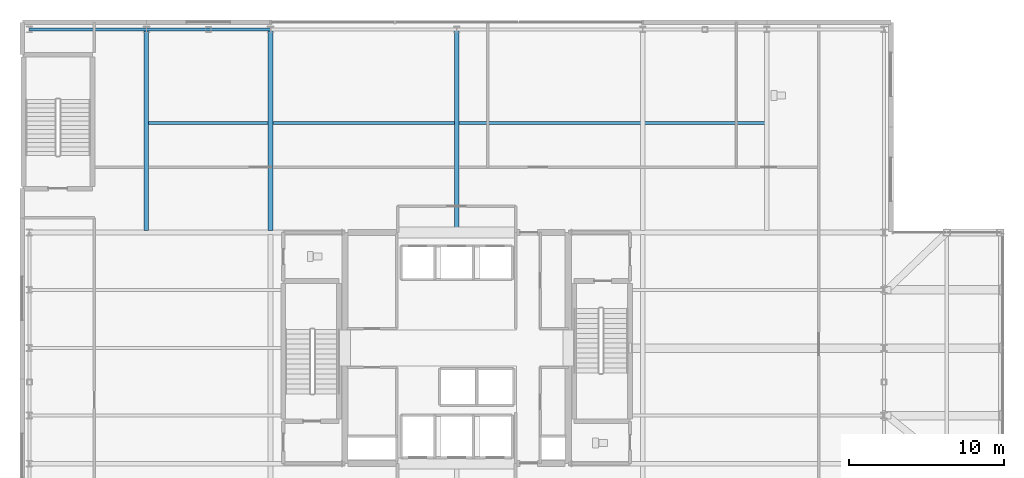
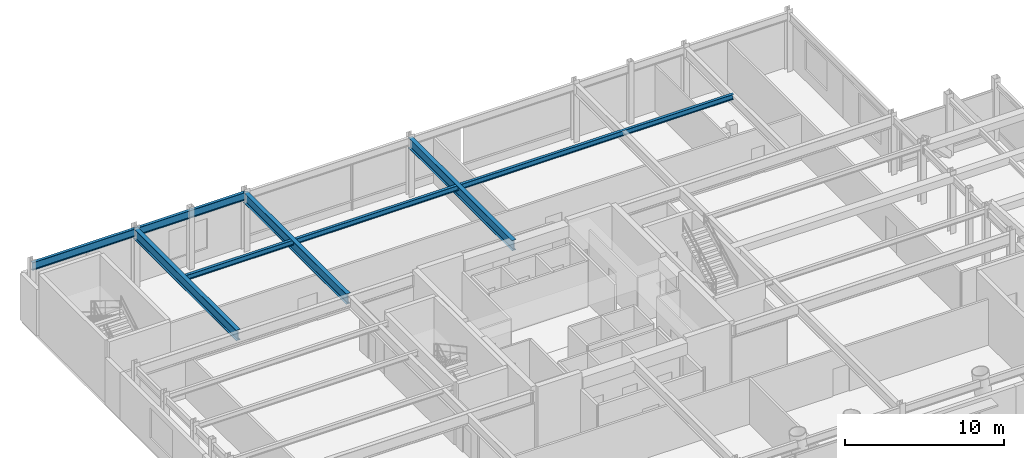
# One storey, part 13 of 26: 6 beams.
"""IFC4 building model written with IfcOpenShell, lengths in metres."""

from ifc_helpers import new_model, si_unit, direction, frame, origin, origin_2d, place, context, subcontext, project, spatial, i_section, extrude, material, material_profile, profile_set, type_object, element, save


model = new_model("IFC4")

# Units and contexts
model_context = context("Model", 3, precision=1e-05, world=origin(), true_north=direction((0.0, 1.0)))
body_context = subcontext(model_context, "Body", "Model", "MODEL_VIEW")
ifc_project = project(units=[si_unit("LENGTHUNIT", "METRE"), si_unit("AREAUNIT", "SQUARE_METRE"), si_unit("VOLUMEUNIT", "CUBIC_METRE"), si_unit("PLANEANGLEUNIT", "RADIAN"), si_unit("MASSUNIT", "GRAM", prefix="KILO")], contexts=[model_context])

# Site, building, storey
site_placement = place(None, origin())
site = spatial("IfcSite", under=ifc_project, at=site_placement, CompositionType="ELEMENT")
building_placement = place(site_placement, origin())
building = spatial("IfcBuilding", under=site, at=building_placement, Name="Veldorina Hangang Commons", CompositionType="ELEMENT")
storey_placement = place(building_placement, frame((0.0, 0.0, 5.199951171875)))
storey = spatial("IfcBuildingStorey", under=building, at=storey_placement, Name="L01", CompositionType="ELEMENT", Elevation=5.199951171875)

# Beams
ifc_material_1 = material(Name="Steel SM355-TMC", Category="steel")
ifc_material_profile_1 = material_profile(ifc_material_1, i_section(OverallWidth=0.199951171875, OverallDepth=0.39990234375, WebThickness=0.008056640625, FlangeThickness=0.012939453125, FilletRadius=0.012939453125, at=origin_2d()), Name="H-400x200x8x13")
ifc_profile_set_1 = profile_set([ifc_material_profile_1], Name="Steel SM355-TMC")
beam_type_1 = type_object("IfcBeamType", Name="BM-JST400", PredefinedType="JOIST", material=ifc_profile_set_1)
beam_1_placement = place(storey_placement, frame((12.0, 38.5, 4.300048828125), z_axis=(1.0, 0.0, 0.0), x_axis=(0.0, 1.0, 0.0)))
element("IfcBeam", 1, at=beam_1_placement, inside=storey, type_object=beam_type_1, Name="L01 north floor joist 4", PredefinedType="JOIST", context=body_context, shape_type="SweptSolid", body=[
    extrude(i_section(OverallWidth=0.199951171875, OverallDepth=0.39990234375, WebThickness=0.008056640625, FlangeThickness=0.012939453125, FilletRadius=0.012939453125, at=origin_2d()), origin(), (0.0, 0.0, 1.0), 40.0),
])
ifc_material_2 = material(Name="Steel SM460-TMC", Category="steel")
ifc_material_profile_2 = material_profile(ifc_material_2, i_section(OverallWidth=0.300048828125, OverallDepth=0.800048828125, WebThickness=0.013916015625, FlangeThickness=0.02587890625, FilletRadius=0.02197265625, at=origin_2d()), Name="H-800x300x14x26")
ifc_profile_set_2 = profile_set([ifc_material_profile_2], Name="Steel SM460-TMC")
beam_type_2 = type_object("IfcBeamType", Name="BM-PG800", PredefinedType="BEAM", material=ifc_profile_set_2)
for number, where, z_axis, x_axis, name in (
    (2, (12.0, 31.590087890625, 4.10009765625), (0.0, 1.0, 0.0), (-1.0, 0.0, 0.0), "L01 north primary girder G2"),
    (3, (20.0, 31.590087890625, 4.10009765625), (0.0, 1.0, 0.0), (-1.0, 0.0, 0.0), "L01 north primary girder G3"),
):
    element("IfcBeam", number, at=place(storey_placement, frame(where, z_axis=z_axis, x_axis=x_axis)), inside=storey, type_object=beam_type_2, Name=name, PredefinedType="BEAM", context=body_context, shape_type="SweptSolid", body=[
        extrude(i_section(OverallWidth=0.300048828125, OverallDepth=0.800048828125, WebThickness=0.013916015625, FlangeThickness=0.02587890625, FilletRadius=0.02197265625, at=origin_2d()), origin(), (0.0, 0.0, 1.0), 12.9599609375),
    ])
beam_2_placement = place(storey_placement, frame((32.0, 31.449951171875, 4.10009765625), z_axis=(0.0, 1.0, 0.0), x_axis=(-1.0, 0.0, 0.0)))
element("IfcBeam", 4, at=beam_2_placement, inside=storey, type_object=beam_type_2, Name="L01 north primary girder G5", PredefinedType="BEAM", context=body_context, shape_type="SweptSolid", body=[
    extrude(i_section(OverallWidth=0.300048828125, OverallDepth=0.800048828125, WebThickness=0.013916015625, FlangeThickness=0.02587890625, FilletRadius=0.02197265625, at=origin_2d()), origin(), (0.0, 0.0, 1.0), 13.10009765625),
])
ifc_material_3 = material(Name="Steel SM420-TMC", Category="steel")
ifc_material_profile_3 = material_profile(ifc_material_3, i_section(OverallWidth=0.199951171875, OverallDepth=0.60009765625, WebThickness=0.010986328125, FlangeThickness=0.01708984375, FilletRadius=0.01806640625, at=origin_2d()), Name="H-600x200x11x17")
ifc_profile_set_3 = profile_set([ifc_material_profile_3], Name="Steel SM420-TMC")
beam_type_3 = type_object("IfcBeamType", Name="BM-SPN600", PredefinedType="SPANDREL", material=ifc_profile_set_3)
beam_3_placement = place(storey_placement, frame((4.449951171875, 44.550048828125, 4.199951171875), z_axis=(1.0, 0.0, 0.0), x_axis=(0.0, 1.0, 0.0)))
element("IfcBeam", 5, at=beam_3_placement, inside=storey, type_object=beam_type_3, Name="L01 north spandrel beam 1", PredefinedType="SPANDREL", context=body_context, shape_type="SweptSolid", body=[
    extrude(i_section(OverallWidth=0.199951171875, OverallDepth=0.60009765625, WebThickness=0.010986328125, FlangeThickness=0.01708984375, FilletRadius=0.01806640625, at=origin_2d()), origin(), (0.0, 0.0, 1.0), 7.550048828125),
])
beam_4_placement = place(storey_placement, frame((12.0, 44.550048828125, 4.199951171875), z_axis=(1.0, 0.0, 0.0), x_axis=(0.0, 1.0, 0.0)))
element("IfcBeam", 6, at=beam_4_placement, inside=storey, type_object=beam_type_3, Name="L01 north spandrel beam 2", PredefinedType="SPANDREL", context=body_context, shape_type="SweptSolid", body=[
    extrude(i_section(OverallWidth=0.199951171875, OverallDepth=0.60009765625, WebThickness=0.010986328125, FlangeThickness=0.01708984375, FilletRadius=0.01806640625, at=origin_2d()), origin(), (0.0, 0.0, 1.0), 8.0),
])

save(model, "model.ifc")
